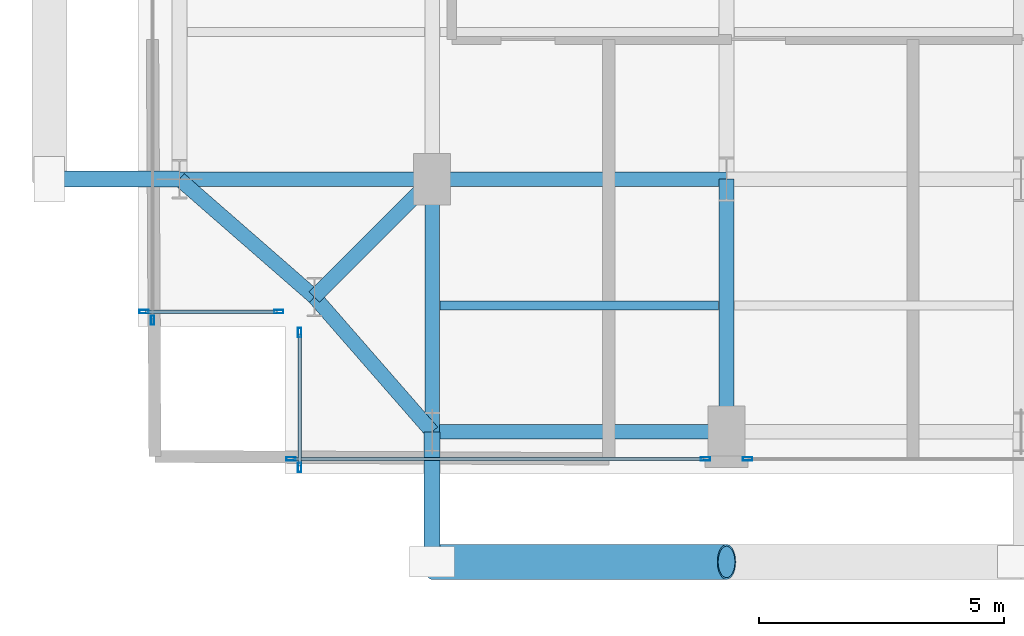
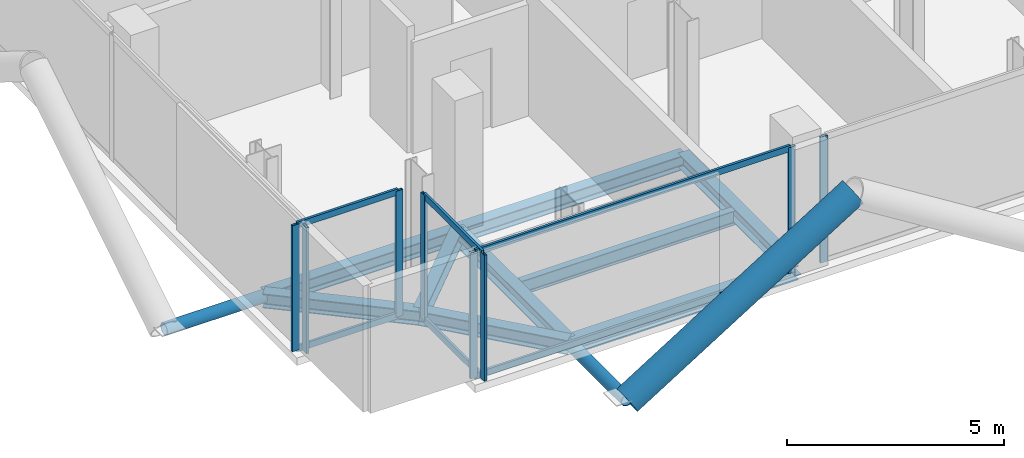
# One storey, part 2 of 26: 17 members, 9 beams, 5 elements without a shape of their own.
"""IFC4 building model written with IfcOpenShell, lengths in metres."""

from ifc_helpers import new_model, si_unit, direction, frame, origin, origin_2d, place, context, subcontext, project, spatial, hollow_rectangle, hollow_circle, i_section, extrude, material, layer, layer_set, material_profile, profile_set, type_object, element, aggregate, save


model = new_model("IFC4")

# Units and contexts
model_context = context("Model", 3, precision=1e-05, world=origin(), true_north=direction((0.0, 1.0)))
body_context = subcontext(model_context, "Body", "Model", "MODEL_VIEW")
ifc_project = project(units=[si_unit("LENGTHUNIT", "METRE"), si_unit("AREAUNIT", "SQUARE_METRE"), si_unit("VOLUMEUNIT", "CUBIC_METRE"), si_unit("PLANEANGLEUNIT", "RADIAN"), si_unit("MASSUNIT", "GRAM", prefix="KILO"), si_unit("THERMODYNAMICTEMPERATUREUNIT", "KELVIN"), si_unit("POWERUNIT", "WATT")], contexts=[model_context])

# Site, building, storey
site_placement = place(None, origin())
site = spatial("IfcSite", under=ifc_project, at=site_placement, CompositionType="ELEMENT")
building_placement = place(site_placement, origin())
building = spatial("IfcBuilding", under=site, at=building_placement, Name="Svarakhadi Broadcast Tower", CompositionType="ELEMENT")
storey_placement = place(building_placement, frame((0.0, 0.0, 180.449951171875)))
storey = spatial("IfcBuildingStorey", under=building, at=storey_placement, Name="L44", CompositionType="ELEMENT", Elevation=180.449951171875)

# Beam
ifc_material_1 = material(Name="Steel S355J2 (IS 2062 E350C)", Category="steel")
ifc_material_profile_1 = material_profile(ifc_material_1, i_section(OverallWidth=0.179931640625, OverallDepth=0.39990234375, WebThickness=0.008544921875, FlangeThickness=0.013427734375, FilletRadius=0.02099609375, at=origin_2d()), Name="NPB 400x180x66")
ifc_profile_set_1 = profile_set([ifc_material_profile_1], Name="Steel S355J2 (IS 2062 E350C)")
beam_type_1 = type_object("IfcBeamType", Name="Beam_NPB400", PredefinedType="BEAM", material=ifc_profile_set_1)
beam_1_placement = place(storey_placement, frame((6.159912109375, 3.425048828125, -0.409912109375), z_axis=(1.0, 0.0, 0.0), x_axis=(0.0, 1.0, 0.0)))
element("IfcBeam", 1, at=beam_1_placement, inside=storey, type_object=beam_type_1, Name="L44 Secondary Composite Beam SB005", PredefinedType="BEAM", context=body_context, shape_type="SweptSolid", body=[
    extrude(i_section(OverallWidth=0.179931640625, OverallDepth=0.39990234375, WebThickness=0.008544921875, FlangeThickness=0.013427734375, FilletRadius=0.02099609375, at=origin_2d()), origin(), (0.0, 0.0, 1.0), 5.68017578125),
])

# Curtain wall, members
ifc_material_2 = material(Name="Anodised Bronze Aluminium AA 6063-T6", Category="aluminium")
ifc_layer = layer(ifc_material_2, 0.18994140625)
ifc_layer_set = layer_set([ifc_layer], Name="Anodised Bronze Aluminium AA 6063-T6")
curtain_wall_type = type_object("IfcCurtainWallType", Name="CW_Sys_04", PredefinedType="NOTDEFINED", material=ifc_layer_set)
curtain_wall_1_placement = place(storey_placement, origin())
curtain_wall_1 = element("IfcCurtainWall", 2, at=curtain_wall_1_placement, inside=storey, type_object=curtain_wall_type, Name="L44 Unitised Facade Curtain Wall 01", PredefinedType="NOTDEFINED")
ifc_material_profile_2 = material_profile(ifc_material_2, hollow_rectangle(XDim=0.070068359375, YDim=0.18994140625, WallThickness=0.005615234375, at=origin_2d()), Name="ALU MULLION 190x70x6")
ifc_profile_set_2 = profile_set([ifc_material_profile_2], Name="Anodised Bronze Aluminium AA 6063-T6")
member_type_1 = type_object("IfcMemberType", Name="CW_Sys_04_Mul", PredefinedType="MULLION", material=ifc_profile_set_2)
member_1_placement = place(storey_placement, frame((2.875, 3.300048828125, 0.0), z_axis=(0.0, 0.0, 1.0), x_axis=(0.0, -1.0, 0.0)))
member_1 = element("IfcMember", 3, at=member_1_placement, type_object=member_type_1, Name="CW-04 mullion 1", PredefinedType="MULLION", context=body_context, shape_type="SweptSolid", body=[
    extrude(hollow_rectangle(XDim=0.070068359375, YDim=0.18994140625, WallThickness=0.005615234375, at=origin_2d()), origin(), (0.0, 0.0, 1.0), 3.5400390625),
])
member_2_placement = place(storey_placement, frame((0.125, 3.300048828125, 0.0), z_axis=(0.0, 0.0, 1.0), x_axis=(0.0, -1.0, 0.0)))
member_2 = element("IfcMember", 4, at=member_2_placement, type_object=member_type_1, Name="CW-04 mullion 2", PredefinedType="MULLION", context=body_context, shape_type="SweptSolid", body=[
    extrude(hollow_rectangle(XDim=0.070068359375, YDim=0.18994140625, WallThickness=0.005615234375, at=origin_2d()), origin(), (0.0, 0.0, 1.0), 3.5400390625),
])

# Curtain wall, member
curtain_wall_2_placement = place(storey_placement, origin())
curtain_wall_2 = element("IfcCurtainWall", 5, at=curtain_wall_2_placement, inside=storey, type_object=curtain_wall_type, Name="L44 West Curtain Wall 02", PredefinedType="NOTDEFINED")
member_3_placement = place(storey_placement, frame((0.300048828125, 3.125, 0.0), z_axis=(0.0, 0.0, 1.0), x_axis=(-1.0, 0.0, 0.0)))
member_3 = element("IfcMember", 6, at=member_3_placement, type_object=member_type_1, Name="CW-04 mullion 1", PredefinedType="MULLION", context=body_context, shape_type="SweptSolid", body=[
    extrude(hollow_rectangle(XDim=0.070068359375, YDim=0.18994140625, WallThickness=0.005615234375, at=origin_2d()), origin(), (0.0, 0.0, 1.0), 3.5400390625),
])
aggregate(curtain_wall_2, [member_3])

curtain_wall_3_placement = place(storey_placement, origin())
curtain_wall_3 = element("IfcCurtainWall", 7, at=curtain_wall_3_placement, inside=storey, type_object=curtain_wall_type, Name="L44 South Curtain Wall 17 Bay 2", PredefinedType="NOTDEFINED")
member_4_placement = place(storey_placement, frame((12.429931640625, 0.300048828125, 0.0), z_axis=(0.0, 0.0, 1.0), x_axis=(0.0, -1.0, 0.0)))
member_4 = element("IfcMember", 8, at=member_4_placement, type_object=member_type_1, Name="CW-04 mullion 2", PredefinedType="MULLION", context=body_context, shape_type="SweptSolid", body=[
    extrude(hollow_rectangle(XDim=0.070068359375, YDim=0.18994140625, WallThickness=0.005615234375, at=origin_2d()), origin(), (0.0, 0.0, 1.0), 3.5400390625),
])
aggregate(curtain_wall_3, [member_4])

# Curtain wall, members
curtain_wall_4_placement = place(storey_placement, origin())
curtain_wall_4 = element("IfcCurtainWall", 9, at=curtain_wall_4_placement, inside=storey, type_object=curtain_wall_type, Name="L44 South Curtain Wall 17 Bay 3", PredefinedType="NOTDEFINED")
member_5_placement = place(storey_placement, frame((11.570068359375, 0.300048828125, 0.0), z_axis=(0.0, 0.0, 1.0), x_axis=(0.0, -1.0, 0.0)))
member_5 = element("IfcMember", 10, at=member_5_placement, type_object=member_type_1, Name="CW-04 mullion 1", PredefinedType="MULLION", context=body_context, shape_type="SweptSolid", body=[
    extrude(hollow_rectangle(XDim=0.070068359375, YDim=0.18994140625, WallThickness=0.005615234375, at=origin_2d()), origin(), (0.0, 0.0, 1.0), 3.5400390625),
])
member_6_placement = place(storey_placement, frame((3.125, 0.300048828125, 0.0), z_axis=(0.0, 0.0, 1.0), x_axis=(0.0, -1.0, 0.0)))
member_6 = element("IfcMember", 11, at=member_6_placement, type_object=member_type_1, Name="CW-04 mullion 2", PredefinedType="MULLION", context=body_context, shape_type="SweptSolid", body=[
    extrude(hollow_rectangle(XDim=0.070068359375, YDim=0.18994140625, WallThickness=0.005615234375, at=origin_2d()), origin(), (0.0, 0.0, 1.0), 3.5400390625),
])

curtain_wall_5_placement = place(storey_placement, origin())
curtain_wall_5 = element("IfcCurtainWall", 12, at=curtain_wall_5_placement, inside=storey, type_object=curtain_wall_type, Name="L44 Unitised Facade Curtain Wall 18", PredefinedType="NOTDEFINED")
member_7_placement = place(storey_placement, frame((3.300048828125, 0.125, 0.0), z_axis=(0.0, 0.0, 1.0), x_axis=(-1.0, 0.0, 0.0)))
member_7 = element("IfcMember", 13, at=member_7_placement, type_object=member_type_1, Name="CW-04 mullion 1", PredefinedType="MULLION", context=body_context, shape_type="SweptSolid", body=[
    extrude(hollow_rectangle(XDim=0.070068359375, YDim=0.18994140625, WallThickness=0.005615234375, at=origin_2d()), origin(), (0.0, 0.0, 1.0), 3.5400390625),
])
member_8_placement = place(storey_placement, frame((3.300048828125, 2.875, 0.0), z_axis=(0.0, 0.0, 1.0), x_axis=(-1.0, 0.0, 0.0)))
member_8 = element("IfcMember", 14, at=member_8_placement, type_object=member_type_1, Name="CW-04 mullion 2", PredefinedType="MULLION", context=body_context, shape_type="SweptSolid", body=[
    extrude(hollow_rectangle(XDim=0.070068359375, YDim=0.18994140625, WallThickness=0.005615234375, at=origin_2d()), origin(), (0.0, 0.0, 1.0), 3.5400390625),
])

# Member
ifc_material_profile_3 = material_profile(ifc_material_2, hollow_rectangle(XDim=0.06494140625, YDim=0.175048828125, WallThickness=0.0048828125, at=origin_2d()), Name="ALU TRANSOM 175x65x5")
ifc_profile_set_3 = profile_set([ifc_material_profile_3], Name="Anodised Bronze Aluminium AA 6063-T6")
member_type_2 = type_object("IfcMemberType", Name="CW_Sys_04_Trn", PredefinedType="USERDEFINED", material=ifc_profile_set_3)
member_9_placement = place(storey_placement, frame((2.840087890625, 3.300048828125, 0.032470703125), z_axis=(-1.0, 0.0, 0.0), x_axis=(0.0, -1.0, 0.0)))
member_9 = element("IfcMember", 15, at=member_9_placement, type_object=member_type_2, Name="CW-04 transom 1.1", ObjectType="TRANSOM", PredefinedType="USERDEFINED", context=body_context, shape_type="SweptSolid", body=[
    extrude(hollow_rectangle(XDim=0.06494140625, YDim=0.175048828125, WallThickness=0.0048828125, at=origin_2d()), origin(), (0.0, 0.0, 1.0), 2.68017578125),
])

member_10_placement = place(storey_placement, frame((2.840087890625, 3.300048828125, 3.507568359375), z_axis=(-1.0, 0.0, 0.0), x_axis=(0.0, -1.0, 0.0)))
member_10 = element("IfcMember", 16, at=member_10_placement, type_object=member_type_2, Name="CW-04 transom 1.2", ObjectType="TRANSOM", PredefinedType="USERDEFINED", context=body_context, shape_type="SweptSolid", body=[
    extrude(hollow_rectangle(XDim=0.06494140625, YDim=0.175048828125, WallThickness=0.0048828125, at=origin_2d()), origin(), (0.0, 0.0, 1.0), 2.68017578125),
])

aggregate(curtain_wall_1, [member_1, member_2, member_9, member_10])

member_11_placement = place(storey_placement, frame((11.534912109375, 0.300048828125, 0.032470703125), z_axis=(-1.0, 0.0, 0.0), x_axis=(0.0, -1.0, 0.0)))
member_11 = element("IfcMember", 17, at=member_11_placement, type_object=member_type_2, Name="CW-04 transom 1.1", ObjectType="TRANSOM", PredefinedType="USERDEFINED", context=body_context, shape_type="SweptSolid", body=[
    extrude(hollow_rectangle(XDim=0.06494140625, YDim=0.175048828125, WallThickness=0.0048828125, at=origin_2d()), origin(), (0.0, 0.0, 1.0), 8.375),
])

member_12_placement = place(storey_placement, frame((11.534912109375, 0.300048828125, 3.507568359375), z_axis=(-1.0, 0.0, 0.0), x_axis=(0.0, -1.0, 0.0)))
member_12 = element("IfcMember", 18, at=member_12_placement, type_object=member_type_2, Name="CW-04 transom 1.2", ObjectType="TRANSOM", PredefinedType="USERDEFINED", context=body_context, shape_type="SweptSolid", body=[
    extrude(hollow_rectangle(XDim=0.06494140625, YDim=0.175048828125, WallThickness=0.0048828125, at=origin_2d()), origin(), (0.0, 0.0, 1.0), 8.375),
])

aggregate(curtain_wall_4, [member_5, member_6, member_11, member_12])

member_13_placement = place(storey_placement, frame((3.300048828125, 0.159912109375, 0.032470703125), z_axis=(0.0, 1.0, 0.0), x_axis=(-1.0, 0.0, 0.0)))
member_13 = element("IfcMember", 19, at=member_13_placement, type_object=member_type_2, Name="CW-04 transom 1.1", ObjectType="TRANSOM", PredefinedType="USERDEFINED", context=body_context, shape_type="SweptSolid", body=[
    extrude(hollow_rectangle(XDim=0.06494140625, YDim=0.175048828125, WallThickness=0.0048828125, at=origin_2d()), origin(), (0.0, 0.0, 1.0), 2.68017578125),
])

member_14_placement = place(storey_placement, frame((3.300048828125, 0.159912109375, 3.507568359375), z_axis=(0.0, 1.0, 0.0), x_axis=(-1.0, 0.0, 0.0)))
member_14 = element("IfcMember", 20, at=member_14_placement, type_object=member_type_2, Name="CW-04 transom 1.2", ObjectType="TRANSOM", PredefinedType="USERDEFINED", context=body_context, shape_type="SweptSolid", body=[
    extrude(hollow_rectangle(XDim=0.06494140625, YDim=0.175048828125, WallThickness=0.0048828125, at=origin_2d()), origin(), (0.0, 0.0, 1.0), 2.68017578125),
])

aggregate(curtain_wall_5, [member_7, member_8, member_13, member_14])

# Members
ifc_material_3 = material(Name="Steel S460ML (IS 2062 E450BR)", Category="steel")
ifc_material_profile_4 = material_profile(ifc_material_3, hollow_circle(Radius=0.35546875, WallThickness=0.034912109375, at=origin_2d()), Name="CHS 711x35")
ifc_profile_set_4 = profile_set([ifc_material_profile_4], Name="Steel S460ML (IS 2062 E450BR)")
member_type_3 = type_object("IfcMemberType", Name="Exo_Brace_CHS711", PredefinedType="BRACE", material=ifc_profile_set_4)
member_15_placement = place(storey_placement, frame((6.0, -1.800048828125, -0.371826171875), z_axis=(0.847998304005, 0.0, 0.529998940003), x_axis=(0.0, 1.0, 0.0)))
element("IfcMember", 21, at=member_15_placement, inside=storey, type_object=member_type_3, Name="L44 Exposed Bronze Exoskeleton Diagonal S01", PredefinedType="BRACE", context=body_context, shape_type="SweptSolid", body=[
    extrude(hollow_circle(Radius=0.35546875, WallThickness=0.034912109375, at=origin_2d()), origin(), (0.0, 0.0, 1.0), 7.075439453125),
])
ifc_material_profile_5 = material_profile(ifc_material_3, hollow_circle(Radius=0.161865234375, WallThickness=0.01611328125, at=origin_2d()), Name="CHS 323.9x16")
ifc_profile_set_5 = profile_set([ifc_material_profile_5], Name="Steel S460ML (IS 2062 E450BR)")
member_type_4 = type_object("IfcMemberType", Name="Exo_Radial_Strut_Z2", PredefinedType="STRUT", material=ifc_profile_set_5)
for number, where, z_axis, x_axis, name in (
    (22, (6.0, -1.800048828125, -0.371826171875), (0.0, 1.0, 0.0), (-1.0, 0.0, 0.0), "L44 Exoskeleton Radial Tie Strut S01"),
    (23, (-1.800048828125, 6.0, -0.371826171875), (1.0, 0.0, 0.0), (0.0, 1.0, 0.0), "L44 Exoskeleton Radial Tie Strut W04"),
):
    element("IfcMember", number, at=place(storey_placement, frame(where, z_axis=z_axis, x_axis=x_axis)), inside=storey, type_object=member_type_4, Name=name, PredefinedType="STRUT", context=body_context, shape_type="SweptSolid", body=[
        extrude(hollow_circle(Radius=0.161865234375, WallThickness=0.01611328125, at=origin_2d()), origin(), (0.0, 0.0, 1.0), 2.650146484375),
    ])

# Beams
ifc_material_profile_6 = material_profile(ifc_material_1, i_section(OverallWidth=0.300048828125, OverallDepth=0.39990234375, WebThickness=0.013427734375, FlangeThickness=0.02392578125, FilletRadius=0.027099609375, at=origin_2d()), Name="WPB 400x300x155")
ifc_profile_set_6 = profile_set([ifc_material_profile_6], Name="Steel S355J2 (IS 2062 E350C)")
beam_type_2 = type_object("IfcBeamType", Name="Girder_WPB400", PredefinedType="USERDEFINED", material=ifc_profile_set_6)
beam_2_placement = place(storey_placement, frame((3.60009765625, 3.60009765625, -0.409912109375), z_axis=(0.707106781187, 0.707106781187, 0.0), x_axis=(-0.707106781187, 0.707106781187, 0.0)))
element("IfcBeam", 24, at=beam_2_placement, inside=storey, type_object=beam_type_2, Name="L44 Corner Tie Girder G001", ObjectType="GIRDER", PredefinedType="USERDEFINED", context=body_context, shape_type="SweptSolid", body=[
    extrude(i_section(OverallWidth=0.300048828125, OverallDepth=0.39990234375, WebThickness=0.013427734375, FlangeThickness=0.02392578125, FilletRadius=0.027099609375, at=origin_2d()), origin(), (0.0, 0.0, 1.0), 3.39404296875),
])
for number, where, z_axis, x_axis, name in (
    (25, (3.60009765625, 3.60009765625, -0.409912109375), (-0.753437912176, 0.657519058655, 0.0), (-0.657519058655, -0.753437912176, 0.0), "L44 Corner Tie Girder G002"),
    (26, (3.60009765625, 3.60009765625, -0.409912109375), (0.657519058655, -0.753437912176, 0.0), (0.753437912176, 0.657519058655, 0.0), "L44 Corner Tie Girder G003"),
):
    element("IfcBeam", number, at=place(storey_placement, frame(where, z_axis=z_axis, x_axis=x_axis)), inside=storey, type_object=beam_type_2, Name=name, ObjectType="GIRDER", PredefinedType="USERDEFINED", context=body_context, shape_type="SweptSolid", body=[
        extrude(i_section(OverallWidth=0.300048828125, OverallDepth=0.39990234375, WebThickness=0.013427734375, FlangeThickness=0.02392578125, FilletRadius=0.027099609375, at=origin_2d()), origin(), (0.0, 0.0, 1.0), 3.64990234375),
    ])
beam_3_placement = place(storey_placement, frame((6.0, 0.85009765625, -0.409912109375), z_axis=(1.0, 0.0, 0.0), x_axis=(0.0, 1.0, 0.0)))
element("IfcBeam", 27, at=beam_3_placement, inside=storey, type_object=beam_type_2, Name="L44 Primary E-W Girder G004", ObjectType="GIRDER", PredefinedType="USERDEFINED", context=body_context, shape_type="SweptSolid", body=[
    extrude(i_section(OverallWidth=0.300048828125, OverallDepth=0.39990234375, WebThickness=0.013427734375, FlangeThickness=0.02392578125, FilletRadius=0.027099609375, at=origin_2d()), origin(), (0.0, 0.0, 1.0), 6.0),
])
beam_4_placement = place(storey_placement, frame((0.85009765625, 6.0, -0.409912109375), z_axis=(1.0, 0.0, 0.0), x_axis=(0.0, 1.0, 0.0)))
element("IfcBeam", 28, at=beam_4_placement, inside=storey, type_object=beam_type_2, Name="L44 Primary E-W Girder G009", ObjectType="GIRDER", PredefinedType="USERDEFINED", context=body_context, shape_type="SweptSolid", body=[
    extrude(i_section(OverallWidth=0.300048828125, OverallDepth=0.39990234375, WebThickness=0.013427734375, FlangeThickness=0.02392578125, FilletRadius=0.027099609375, at=origin_2d()), origin(), (0.0, 0.0, 1.0), 5.14990234375),
])
beam_5_placement = place(storey_placement, frame((6.0, 6.0, -0.409912109375), z_axis=(1.0, 0.0, 0.0), x_axis=(0.0, 1.0, 0.0)))
element("IfcBeam", 29, at=beam_5_placement, inside=storey, type_object=beam_type_2, Name="L44 Primary E-W Girder G010", ObjectType="GIRDER", PredefinedType="USERDEFINED", context=body_context, shape_type="SweptSolid", body=[
    extrude(i_section(OverallWidth=0.300048828125, OverallDepth=0.39990234375, WebThickness=0.013427734375, FlangeThickness=0.02392578125, FilletRadius=0.027099609375, at=origin_2d()), origin(), (0.0, 0.0, 1.0), 6.0),
])
for number, where, z_axis, x_axis, name in (
    (30, (6.0, 0.85009765625, -0.409912109375), (0.0, 1.0, 0.0), (-1.0, 0.0, 0.0), "L44 Primary N-S Girder G037"),
    (31, (12.0, 0.85009765625, -0.409912109375), (0.0, 1.0, 0.0), (-1.0, 0.0, 0.0), "L44 Primary N-S Girder G042"),
):
    element("IfcBeam", number, at=place(storey_placement, frame(where, z_axis=z_axis, x_axis=x_axis)), inside=storey, type_object=beam_type_2, Name=name, ObjectType="GIRDER", PredefinedType="USERDEFINED", context=body_context, shape_type="SweptSolid", body=[
        extrude(i_section(OverallWidth=0.300048828125, OverallDepth=0.39990234375, WebThickness=0.013427734375, FlangeThickness=0.02392578125, FilletRadius=0.027099609375, at=origin_2d()), origin(), (0.0, 0.0, 1.0), 5.14990234375),
    ])

save(model, "model.ifc")
